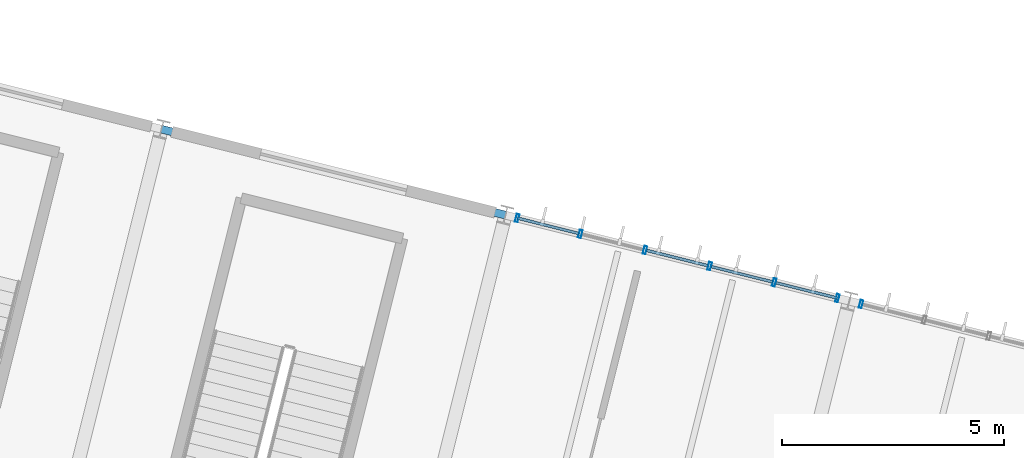
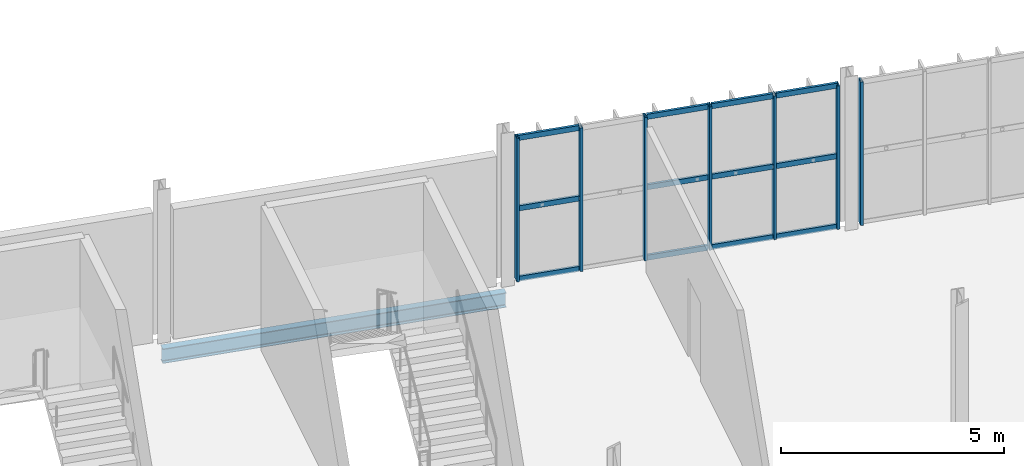
# One storey, part 33 of 61: 19 members, 1 beam, 2 elements without a shape of their own.
"""IFC4 building model written with IfcOpenShell, lengths in metres."""

from ifc_helpers import new_model, si_unit, derived_unit, direction, frame, origin, origin_2d, place, context, subcontext, project, spatial, hollow_rectangle, i_section, extrude, material, material_profile, profile_set, type_object, element, aggregate, save


model = new_model("IFC4")

# Units and contexts
model_context = context("Model", 3, precision=1e-05, world=origin(), true_north=direction((0.0, 1.0)))
body_context = subcontext(model_context, "Body", "Model", "MODEL_VIEW")
ifc_project = project(units=[si_unit("LENGTHUNIT", "METRE"), si_unit("AREAUNIT", "SQUARE_METRE"), si_unit("VOLUMEUNIT", "CUBIC_METRE"), si_unit("PLANEANGLEUNIT", "RADIAN"), si_unit("MASSUNIT", "GRAM", prefix="KILO"), si_unit("THERMODYNAMICTEMPERATUREUNIT", "KELVIN"), si_unit("TIMEUNIT", "SECOND"), derived_unit("THERMALTRANSMITTANCEUNIT", [(si_unit("MASSUNIT", "GRAM", prefix="KILO"), 1), (si_unit("THERMODYNAMICTEMPERATUREUNIT", "KELVIN"), -1), (si_unit("TIMEUNIT", "SECOND"), -3)])], contexts=[model_context])

# Site, building, storey
site_placement = place(None, origin())
site = spatial("IfcSite", under=ifc_project, at=site_placement, CompositionType="ELEMENT")
building_placement = place(site_placement, origin())
building = spatial("IfcBuilding", under=site, at=building_placement, Name="Cambertide Market Hall", CompositionType="ELEMENT")
storey_placement = place(building_placement, frame((0.0, 0.0, 9.89990234375)))
storey = spatial("IfcBuildingStorey", under=building, at=storey_placement, Name="L03", CompositionType="ELEMENT", Elevation=9.89990234375)

# Curtain wall, members
ifc_material_1 = material(Name="Marine Anodized Aluminium 6063-T6 AA25", Category="aluminium")
curtain_wall_type = type_object("IfcCurtainWallType", Name="Cooking School Classroom Curtain Wall", PredefinedType="USERDEFINED", material=ifc_material_1)
curtain_wall_1_placement = place(storey_placement, origin())
curtain_wall_1 = element("IfcCurtainWall", 1, at=curtain_wall_1_placement, inside=storey, type_object=curtain_wall_type, Name="Level 3 Curtain Wall CW-V4N-L03-6", ObjectType="UNITIZED CURTAIN WALL", PredefinedType="USERDEFINED")
ifc_material_2 = material(Name="Champagne Marine Anodized Aluminium 6063-T6 AA25", Category="aluminium")
ifc_material_profile_1 = material_profile(ifc_material_2, hollow_rectangle(XDim=0.06494140625, YDim=0.179931640625, WallThickness=0.00390625, at=origin_2d()), Name="ALU MULLION 65x180")
ifc_profile_set_1 = profile_set([ifc_material_profile_1], Name="Champagne Marine Anodized Aluminium 6063-T6 AA25")
member_type_1 = type_object("IfcMemberType", Name="Curtain Wall Mullion ALU MULLION 65x180", PredefinedType="MULLION", material=ifc_profile_set_1)
member_1_placement = place(storey_placement, frame((153.620849609375, 116.42578125, 0.0), z_axis=(0.0, 0.0, 1.0), x_axis=(0.970142500145, -0.242535625038, 0.0)))
member_1 = element("IfcMember", 2, at=member_1_placement, type_object=member_type_1, Name="CW-V4N-L03-6 Mullion 1", PredefinedType="MULLION", context=body_context, shape_type="SweptSolid", body=[
    extrude(hollow_rectangle(XDim=0.06494140625, YDim=0.179931640625, WallThickness=0.00390625, at=origin_2d()), origin(), (0.0, 0.0, 1.0), 3.920166015625),
])
member_2_placement = place(storey_placement, frame((155.046142578125, 116.0693359375, 0.0), z_axis=(0.0, 0.0, 1.0), x_axis=(0.970142500145, -0.242535625038, 0.0)))
member_2 = element("IfcMember", 3, at=member_2_placement, type_object=member_type_1, Name="CW-V4N-L03-6 Mullion 2", PredefinedType="MULLION", context=body_context, shape_type="SweptSolid", body=[
    extrude(hollow_rectangle(XDim=0.06494140625, YDim=0.179931640625, WallThickness=0.00390625, at=origin_2d()), origin(), (0.0, 0.0, 1.0), 3.920166015625),
])
member_3_placement = place(storey_placement, frame((156.505126953125, 115.70458984375, 0.0), z_axis=(0.0, 0.0, 1.0), x_axis=(0.970142500145, -0.242535625038, 0.0)))
member_3 = element("IfcMember", 4, at=member_3_placement, type_object=member_type_1, Name="CW-V4N-L03-6 Mullion 3", PredefinedType="MULLION", context=body_context, shape_type="SweptSolid", body=[
    extrude(hollow_rectangle(XDim=0.06494140625, YDim=0.179931640625, WallThickness=0.00390625, at=origin_2d()), origin(), (0.0, 0.0, 1.0), 3.920166015625),
])
member_4_placement = place(storey_placement, frame((157.96435546875, 115.33984375, 0.0), z_axis=(0.0, 0.0, 1.0), x_axis=(0.970142500145, -0.242535625038, 0.0)))
member_4 = element("IfcMember", 5, at=member_4_placement, type_object=member_type_1, Name="CW-V4N-L03-6 Mullion 4", PredefinedType="MULLION", context=body_context, shape_type="SweptSolid", body=[
    extrude(hollow_rectangle(XDim=0.06494140625, YDim=0.179931640625, WallThickness=0.00390625, at=origin_2d()), origin(), (0.0, 0.0, 1.0), 3.920166015625),
])
member_5_placement = place(storey_placement, frame((159.42333984375, 114.97509765625, 0.0), z_axis=(0.0, 0.0, 1.0), x_axis=(0.970142500145, -0.242535625038, 0.0)))
member_5 = element("IfcMember", 6, at=member_5_placement, type_object=member_type_1, Name="CW-V4N-L03-6 Mullion 5", PredefinedType="MULLION", context=body_context, shape_type="SweptSolid", body=[
    extrude(hollow_rectangle(XDim=0.06494140625, YDim=0.179931640625, WallThickness=0.00390625, at=origin_2d()), origin(), (0.0, 0.0, 1.0), 3.920166015625),
])
member_6_placement = place(storey_placement, frame((160.8486328125, 114.618896484375, 0.0), z_axis=(0.0, 0.0, 1.0), x_axis=(0.970142500145, -0.242535625038, 0.0)))
member_6 = element("IfcMember", 7, at=member_6_placement, type_object=member_type_1, Name="CW-V4N-L03-6 Mullion 6", PredefinedType="MULLION", context=body_context, shape_type="SweptSolid", body=[
    extrude(hollow_rectangle(XDim=0.06494140625, YDim=0.179931640625, WallThickness=0.00390625, at=origin_2d()), origin(), (0.0, 0.0, 1.0), 3.920166015625),
])

# Curtain wall, member
curtain_wall_2_placement = place(storey_placement, origin())
curtain_wall_2 = element("IfcCurtainWall", 8, at=curtain_wall_2_placement, inside=storey, type_object=curtain_wall_type, Name="Level 3 Curtain Wall CW-V4N-L03-7", ObjectType="UNITIZED CURTAIN WALL", PredefinedType="USERDEFINED")
member_7_placement = place(storey_placement, frame((161.382080078125, 114.4853515625, 0.0), z_axis=(0.0, 0.0, 1.0), x_axis=(0.970142500145, -0.242535625038, 0.0)))
member_7 = element("IfcMember", 9, at=member_7_placement, type_object=member_type_1, Name="CW-V4N-L03-7 Mullion 1", PredefinedType="MULLION", context=body_context, shape_type="SweptSolid", body=[
    extrude(hollow_rectangle(XDim=0.06494140625, YDim=0.179931640625, WallThickness=0.00390625, at=origin_2d()), origin(), (0.0, 0.0, 1.0), 3.920166015625),
])
aggregate(curtain_wall_2, [member_7])

# Member
ifc_material_3 = material(Name="Champagne Marine Anodized Aluminium 6063-T6 AA25", Category="aluminium")
ifc_material_profile_2 = material_profile(ifc_material_3, hollow_rectangle(XDim=0.06494140625, YDim=0.139892578125, WallThickness=0.00341796875, at=origin_2d()), Name="ALU TRANSOM 65x140")
ifc_profile_set_2 = profile_set([ifc_material_profile_2], Name="Champagne Marine Anodized Aluminium 6063-T6 AA25")
member_type_2 = type_object("IfcMemberType", Name="Curtain Wall Transom ALU TRANSOM 65x140", PredefinedType="USERDEFINED", material=ifc_profile_set_2)
member_8_placement = place(storey_placement, frame((153.625732421875, 116.424560546875, 0.03515625), z_axis=(0.970132415085, -0.242575961715, 0.0), x_axis=(0.242575961715, 0.970132415085, 0.0)))
member_8 = element("IfcMember", 10, at=member_8_placement, type_object=member_type_2, Name="CW-V4N-L03-6 Transom 1-1", ObjectType="TRANSOM", PredefinedType="USERDEFINED", context=body_context, shape_type="SweptSolid", body=[
    extrude(hollow_rectangle(XDim=0.06494140625, YDim=0.139892578125, WallThickness=0.00341796875, at=origin_2d()), origin(), (0.0, 0.0, 1.0), 1.424072265625),
])

member_9_placement = place(storey_placement, frame((156.5439453125, 115.695068359375, 0.03515625), z_axis=(0.970132415085, -0.242575961715, 0.0), x_axis=(0.242575961715, 0.970132415085, 0.0)))
member_9 = element("IfcMember", 11, at=member_9_placement, type_object=member_type_2, Name="CW-V4N-L03-6 Transom 1-3", ObjectType="TRANSOM", PredefinedType="USERDEFINED", context=body_context, shape_type="SweptSolid", body=[
    extrude(hollow_rectangle(XDim=0.06494140625, YDim=0.139892578125, WallThickness=0.00341796875, at=origin_2d()), origin(), (0.0, 0.0, 1.0), 1.424072265625),
])

member_10_placement = place(storey_placement, frame((158.003173828125, 115.330078125, 0.03515625), z_axis=(0.970162669427, -0.242454933646, 0.0), x_axis=(0.242454933646, 0.970162669427, 0.0)))
member_10 = element("IfcMember", 12, at=member_10_placement, type_object=member_type_2, Name="CW-V4N-L03-6 Transom 1-4", ObjectType="TRANSOM", PredefinedType="USERDEFINED", context=body_context, shape_type="SweptSolid", body=[
    extrude(hollow_rectangle(XDim=0.06494140625, YDim=0.139892578125, WallThickness=0.00341796875, at=origin_2d()), origin(), (0.0, 0.0, 1.0), 1.423828125),
])

member_11_placement = place(storey_placement, frame((159.462158203125, 114.96533203125, 0.03515625), z_axis=(0.970172746521, -0.242414607454, 0.0), x_axis=(0.242414607454, 0.970172746521, 0.0)))
member_11 = element("IfcMember", 13, at=member_11_placement, type_object=member_type_2, Name="CW-V4N-L03-6 Transom 1-5", ObjectType="TRANSOM", PredefinedType="USERDEFINED", context=body_context, shape_type="SweptSolid", body=[
    extrude(hollow_rectangle(XDim=0.06494140625, YDim=0.139892578125, WallThickness=0.00341796875, at=origin_2d()), origin(), (0.0, 0.0, 1.0), 1.424072265625),
])

member_12_placement = place(storey_placement, frame((153.625732421875, 116.424560546875, 1.960205078125), z_axis=(0.970132415085, -0.242575961715, 0.0), x_axis=(0.242575961715, 0.970132415085, 0.0)))
member_12 = element("IfcMember", 14, at=member_12_placement, type_object=member_type_2, Name="CW-V4N-L03-6 Transom 2-1", ObjectType="TRANSOM", PredefinedType="USERDEFINED", context=body_context, shape_type="SweptSolid", body=[
    extrude(hollow_rectangle(XDim=0.06494140625, YDim=0.139892578125, WallThickness=0.00341796875, at=origin_2d()), origin(), (0.0, 0.0, 1.0), 1.424072265625),
])

member_13_placement = place(storey_placement, frame((156.5439453125, 115.695068359375, 1.960205078125), z_axis=(0.970132415085, -0.242575961715, 0.0), x_axis=(0.242575961715, 0.970132415085, 0.0)))
member_13 = element("IfcMember", 15, at=member_13_placement, type_object=member_type_2, Name="CW-V4N-L03-6 Transom 2-3", ObjectType="TRANSOM", PredefinedType="USERDEFINED", context=body_context, shape_type="SweptSolid", body=[
    extrude(hollow_rectangle(XDim=0.06494140625, YDim=0.139892578125, WallThickness=0.00341796875, at=origin_2d()), origin(), (0.0, 0.0, 1.0), 1.424072265625),
])

member_14_placement = place(storey_placement, frame((158.003173828125, 115.330078125, 1.960205078125), z_axis=(0.970162669427, -0.242454933646, 0.0), x_axis=(0.242454933646, 0.970162669427, 0.0)))
member_14 = element("IfcMember", 16, at=member_14_placement, type_object=member_type_2, Name="CW-V4N-L03-6 Transom 2-4", ObjectType="TRANSOM", PredefinedType="USERDEFINED", context=body_context, shape_type="SweptSolid", body=[
    extrude(hollow_rectangle(XDim=0.06494140625, YDim=0.139892578125, WallThickness=0.00341796875, at=origin_2d()), origin(), (0.0, 0.0, 1.0), 1.423828125),
])

member_15_placement = place(storey_placement, frame((159.462158203125, 114.96533203125, 1.960205078125), z_axis=(0.970172746521, -0.242414607454, 0.0), x_axis=(0.242414607454, 0.970172746521, 0.0)))
member_15 = element("IfcMember", 17, at=member_15_placement, type_object=member_type_2, Name="CW-V4N-L03-6 Transom 2-5", ObjectType="TRANSOM", PredefinedType="USERDEFINED", context=body_context, shape_type="SweptSolid", body=[
    extrude(hollow_rectangle(XDim=0.06494140625, YDim=0.139892578125, WallThickness=0.00341796875, at=origin_2d()), origin(), (0.0, 0.0, 1.0), 1.424072265625),
])

member_16_placement = place(storey_placement, frame((153.625732421875, 116.424560546875, 3.885009765625), z_axis=(0.970132415085, -0.242575961715, 0.0), x_axis=(0.242575961715, 0.970132415085, 0.0)))
member_16 = element("IfcMember", 18, at=member_16_placement, type_object=member_type_2, Name="CW-V4N-L03-6 Transom 3-1", ObjectType="TRANSOM", PredefinedType="USERDEFINED", context=body_context, shape_type="SweptSolid", body=[
    extrude(hollow_rectangle(XDim=0.06494140625, YDim=0.139892578125, WallThickness=0.00341796875, at=origin_2d()), origin(), (0.0, 0.0, 1.0), 1.424072265625),
])

member_17_placement = place(storey_placement, frame((156.5439453125, 115.695068359375, 3.885009765625), z_axis=(0.970132415085, -0.242575961715, 0.0), x_axis=(0.242575961715, 0.970132415085, 0.0)))
member_17 = element("IfcMember", 19, at=member_17_placement, type_object=member_type_2, Name="CW-V4N-L03-6 Transom 3-3", ObjectType="TRANSOM", PredefinedType="USERDEFINED", context=body_context, shape_type="SweptSolid", body=[
    extrude(hollow_rectangle(XDim=0.06494140625, YDim=0.139892578125, WallThickness=0.00341796875, at=origin_2d()), origin(), (0.0, 0.0, 1.0), 1.424072265625),
])

member_18_placement = place(storey_placement, frame((158.003173828125, 115.330078125, 3.885009765625), z_axis=(0.970162669427, -0.242454933646, 0.0), x_axis=(0.242454933646, 0.970162669427, 0.0)))
member_18 = element("IfcMember", 20, at=member_18_placement, type_object=member_type_2, Name="CW-V4N-L03-6 Transom 3-4", ObjectType="TRANSOM", PredefinedType="USERDEFINED", context=body_context, shape_type="SweptSolid", body=[
    extrude(hollow_rectangle(XDim=0.06494140625, YDim=0.139892578125, WallThickness=0.00341796875, at=origin_2d()), origin(), (0.0, 0.0, 1.0), 1.423828125),
])

member_19_placement = place(storey_placement, frame((159.462158203125, 114.96533203125, 3.885009765625), z_axis=(0.970172746521, -0.242414607454, 0.0), x_axis=(0.242414607454, 0.970172746521, 0.0)))
member_19 = element("IfcMember", 21, at=member_19_placement, type_object=member_type_2, Name="CW-V4N-L03-6 Transom 3-5", ObjectType="TRANSOM", PredefinedType="USERDEFINED", context=body_context, shape_type="SweptSolid", body=[
    extrude(hollow_rectangle(XDim=0.06494140625, YDim=0.139892578125, WallThickness=0.00341796875, at=origin_2d()), origin(), (0.0, 0.0, 1.0), 1.424072265625),
])

aggregate(curtain_wall_1, [member_1, member_2, member_3, member_4, member_5, member_6, member_8, member_9, member_10, member_11, member_12, member_13, member_14, member_15, member_16, member_17, member_18, member_19])

# Beam
ifc_material_4 = material(Name="Steel S355", Category="steel")
ifc_material_profile_3 = material_profile(ifc_material_4, i_section(OverallWidth=0.179931640625, OverallDepth=0.39990234375, WebThickness=0.008544921875, FlangeThickness=0.013427734375, FilletRadius=0.02099609375, at=origin_2d()), Name="IPE 400")
ifc_profile_set_3 = profile_set([ifc_material_profile_3], Name="Steel S355")
beam_type = type_object("IfcBeamType", Name="Perimeter Spandrel Beam IPE 400", PredefinedType="SPANDREL", material=ifc_profile_set_3)
beam_placement = place(storey_placement, frame((145.593017578125, 118.4326171875, -0.44482421875), z_axis=(0.970146090314, -0.242521263911, 0.0), x_axis=(0.242521263911, 0.970146090314, 0.0)))
element("IfcBeam", 22, at=beam_placement, inside=storey, type_object=beam_type, Name="Level 3 Spandrel BM-V4U-L03-5-4", PredefinedType="SPANDREL", context=body_context, shape_type="SweptSolid", body=[
    extrude(i_section(OverallWidth=0.179931640625, OverallDepth=0.39990234375, WebThickness=0.008544921875, FlangeThickness=0.013427734375, FilletRadius=0.02099609375, at=origin_2d()), origin(), (0.0, 0.0, 1.0), 8.0),
])

save(model, "model.ifc")
